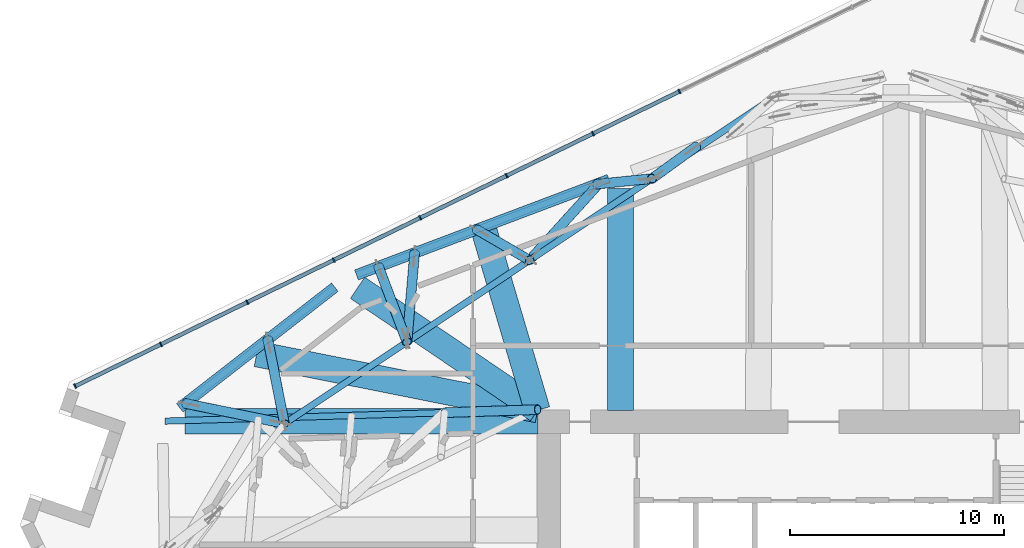
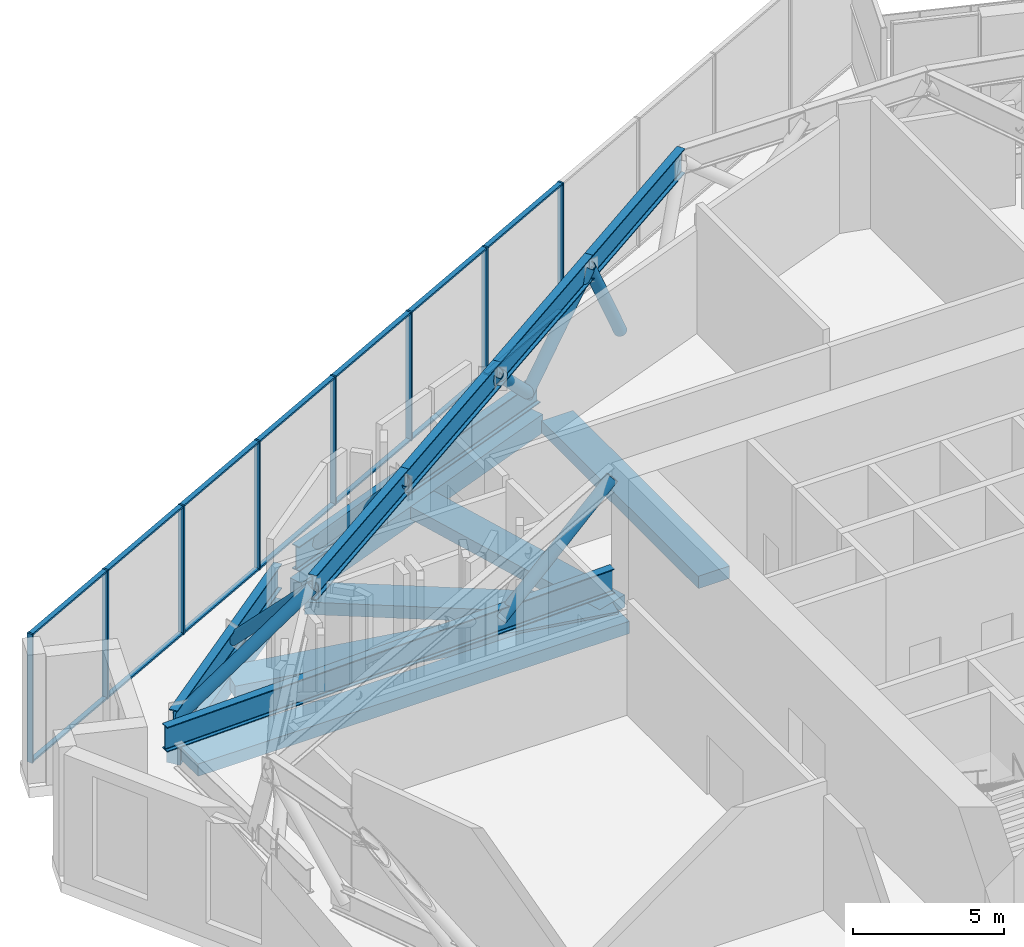
# One storey, part 4 of 21: 31 members, 14 beams, 1 element without a shape of its own.
"""IFC4 building model written with IfcOpenShell, lengths in metres."""

from ifc_helpers import new_model, si_unit, direction, frame, origin, origin_2d, place, context, subcontext, project, spatial, rectangle, hollow_circle, i_section, extrude, material, material_profile, profile_set, type_object, element, aggregate, save


model = new_model("IFC4")

# Units and contexts
model_context = context("Model", 3, precision=1e-05, world=origin(), true_north=direction((0.0, 1.0)))
body_context = subcontext(model_context, "Body", "Model", "MODEL_VIEW")
ifc_project = project(units=[si_unit("LENGTHUNIT", "METRE"), si_unit("AREAUNIT", "SQUARE_METRE"), si_unit("VOLUMEUNIT", "CUBIC_METRE"), si_unit("PLANEANGLEUNIT", "RADIAN"), si_unit("MASSUNIT", "GRAM", prefix="KILO")], contexts=[model_context])

# Site, building, storey
site_placement = place(None, origin())
site = spatial("IfcSite", under=ifc_project, at=site_placement, CompositionType="ELEMENT")
building_placement = place(site_placement, origin())
building = spatial("IfcBuilding", under=site, at=building_placement, Name="Dilmun Exchange Tower", CompositionType="ELEMENT")
storey_placement = place(building_placement, frame((0.0, 0.0, 130.10009765625)))
storey = spatial("IfcBuildingStorey", under=building, at=storey_placement, Name="L30", CompositionType="ELEMENT", Elevation=130.10009765625)

# Beams
ifc_material_1 = material(Name="Concrete C40/50", Category="concrete")
ifc_material_profile_1 = material_profile(ifc_material_1, rectangle(XDim=1.199951171875, YDim=0.5, at=origin_2d()), Name="1200 x 500")
ifc_profile_set_1 = profile_set([ifc_material_profile_1], Name="Concrete C40/50")
beam_type_1 = type_object("IfcBeamType", Name="RC band beam 1200 x 500 C40/50", PredefinedType="BEAM", material=ifc_profile_set_1)
beam_1_placement = place(storey_placement, frame((-9.010009765625, 23.240478515625, -0.77001953125), z_axis=(0.0, -1.0, 0.0), x_axis=(1.0, 0.0, 0.0)))
element("IfcBeam", 1, at=beam_1_placement, inside=storey, type_object=beam_type_1, Name="Band beam 3", PredefinedType="BEAM", context=body_context, shape_type="SweptSolid", body=[
    extrude(rectangle(XDim=1.199951171875, YDim=0.5, at=origin_2d()), origin(), (0.0, 0.0, 1.0), 10.367431640625),
])
beam_2_placement = place(storey_placement, frame((-21.28857421875, 18.59912109375, -0.77001953125), z_axis=(0.827157308771, -0.561970449888, 0.0), x_axis=(0.561970449888, 0.827157308771, 0.0)))
element("IfcBeam", 2, at=beam_2_placement, inside=storey, type_object=beam_type_1, Name="Band beam 4", PredefinedType="BEAM", context=body_context, shape_type="SweptSolid", body=[
    extrude(rectangle(XDim=1.199951171875, YDim=0.5, at=origin_2d()), origin(), (0.0, 0.0, 1.0), 10.16845703125),
])
beam_3_placement = place(storey_placement, frame((-29.35205078125, 12.37109375, -0.77001953125), z_axis=(1.0, 0.0, 0.0), x_axis=(0.0, 1.0, 0.0)))
element("IfcBeam", 3, at=beam_3_placement, inside=storey, type_object=beam_type_1, Name="Band beam 5", PredefinedType="BEAM", context=body_context, shape_type="SweptSolid", body=[
    extrude(rectangle(XDim=1.199951171875, YDim=0.5, at=origin_2d()), origin(), (0.0, 0.0, 1.0), 16.47900390625),
])
beam_4_placement = place(storey_placement, frame((-15.36279296875, 21.216796875, -0.670166015625), z_axis=(0.283932601838, -0.958844240538, 0.0), x_axis=(0.958844240538, 0.283932601838, 0.0)))
element("IfcBeam", 4, at=beam_4_placement, inside=storey, type_object=beam_type_1, Name="Band beam 19", PredefinedType="BEAM", context=body_context, shape_type="SweptSolid", body=[
    extrude(rectangle(XDim=1.199951171875, YDim=0.5, at=origin_2d()), origin(), (0.0, 0.0, 1.0), 8.700927734375),
])
beam_5_placement = place(storey_placement, frame((-25.99658203125, 15.50732421875, -0.670166015625), z_axis=(0.980746640289, -0.19528447855, 0.0), x_axis=(0.19528447855, 0.980746640289, 0.0)))
element("IfcBeam", 5, at=beam_5_placement, inside=storey, type_object=beam_type_1, Name="Band beam 20", PredefinedType="BEAM", context=body_context, shape_type="SweptSolid", body=[
    extrude(rectangle(XDim=1.199951171875, YDim=0.5, at=origin_2d()), origin(), (0.0, 0.0, 1.0), 13.380615234375),
])
ifc_material_profile_2 = material_profile(ifc_material_1, rectangle(XDim=0.5, YDim=0.75, at=origin_2d()), Name="500 x 750")
ifc_profile_set_2 = profile_set([ifc_material_profile_2], Name="Concrete C40/50")
beam_type_2 = type_object("IfcBeamType", Name="RC ring beam 500 x 750 C40/50", PredefinedType="SPANDREL", material=ifc_profile_set_2)
beam_6_placement = place(storey_placement, frame((-9.5458984375, 23.652587890625, -0.795166015625), z_axis=(-0.935479493126, -0.353380981294, 0.0), x_axis=(0.353380981294, -0.935479493126, 0.0)))
element("IfcBeam", 6, at=beam_6_placement, inside=storey, type_object=beam_type_2, Name="Ring beam 3", PredefinedType="SPANDREL", context=body_context, shape_type="SweptSolid", body=[
    extrude(rectangle(XDim=0.5, YDim=0.75, at=origin_2d()), origin(), (0.0, 0.0, 1.0), 12.604248046875),
])
beam_7_placement = place(storey_placement, frame((-22.347412109375, 18.627197265625, -0.795166015625), z_axis=(-0.789461122688, -0.613800566767, 0.0), x_axis=(0.613800566767, -0.789461122688, 0.0)))
element("IfcBeam", 7, at=beam_7_placement, inside=storey, type_object=beam_type_2, Name="Ring beam 4", PredefinedType="SPANDREL", context=body_context, shape_type="SweptSolid", body=[
    extrude(rectangle(XDim=0.5, YDim=0.75, at=origin_2d()), origin(), (0.0, 0.0, 1.0), 9.1728515625),
])

# Curtain wall, members
ifc_material_2 = material(Name="Anodised aluminium and clear glass", Category="aluminium")
curtain_wall_type = type_object("IfcCurtainWallType", Name="Sky lobby glazing", PredefinedType="NOTDEFINED", material=ifc_material_2)
curtain_wall_placement = place(storey_placement, origin())
curtain_wall = element("IfcCurtainWall", 8, at=curtain_wall_placement, inside=storey, type_object=curtain_wall_type, Name="Sky lobby glazing run SL4", PredefinedType="NOTDEFINED")
ifc_material_3 = material(Name="Anodised aluminium", Category="aluminium")
ifc_material_profile_3 = material_profile(ifc_material_3, rectangle(XDim=0.219970703125, YDim=0.070068359375, at=origin_2d()), Name="AL 70x220")
ifc_profile_set_3 = profile_set([ifc_material_profile_3], Name="Anodised aluminium")
member_type_1 = type_object("IfcMemberType", Name="Sky lobby glazing mullion 70 x 220", PredefinedType="MULLION", material=ifc_profile_set_3)
member_1_placement = place(storey_placement, frame((-6.260009765625, 27.765869140625, 0.0), z_axis=(0.0, 0.0, 1.0), x_axis=(0.438371319314, -0.898793962153, 0.0)))
member_1 = element("IfcMember", 9, at=member_1_placement, type_object=member_type_1, Name="SL4 mullion 5", PredefinedType="MULLION", context=body_context, shape_type="SweptSolid", body=[
    extrude(rectangle(XDim=0.219970703125, YDim=0.070068359375, at=origin_2d()), origin(), (0.0, 0.0, 1.0), 5.199951171875),
])
member_2_placement = place(storey_placement, frame((-10.29443359375, 25.798095703125, 0.0), z_axis=(0.0, 0.0, 1.0), x_axis=(0.438371319314, -0.898793962153, 0.0)))
member_2 = element("IfcMember", 10, at=member_2_placement, type_object=member_type_1, Name="SL4 mullion 6", PredefinedType="MULLION", context=body_context, shape_type="SweptSolid", body=[
    extrude(rectangle(XDim=0.219970703125, YDim=0.070068359375, at=origin_2d()), origin(), (0.0, 0.0, 1.0), 5.199951171875),
])
member_3_placement = place(storey_placement, frame((-14.328857421875, 23.830322265625, 0.0), z_axis=(0.0, 0.0, 1.0), x_axis=(0.438371319314, -0.898793962153, 0.0)))
member_3 = element("IfcMember", 11, at=member_3_placement, type_object=member_type_1, Name="SL4 mullion 7", PredefinedType="MULLION", context=body_context, shape_type="SweptSolid", body=[
    extrude(rectangle(XDim=0.219970703125, YDim=0.070068359375, at=origin_2d()), origin(), (0.0, 0.0, 1.0), 5.199951171875),
])
member_4_placement = place(storey_placement, frame((-18.36328125, 21.86279296875, 0.0), z_axis=(0.0, 0.0, 1.0), x_axis=(0.438371319314, -0.898793962153, 0.0)))
member_4 = element("IfcMember", 12, at=member_4_placement, type_object=member_type_1, Name="SL4 mullion 8", PredefinedType="MULLION", context=body_context, shape_type="SweptSolid", body=[
    extrude(rectangle(XDim=0.219970703125, YDim=0.070068359375, at=origin_2d()), origin(), (0.0, 0.0, 1.0), 5.199951171875),
])
member_5_placement = place(storey_placement, frame((-22.397705078125, 19.89501953125, 0.0), z_axis=(0.0, 0.0, 1.0), x_axis=(0.438371319314, -0.898793962153, 0.0)))
member_5 = element("IfcMember", 13, at=member_5_placement, type_object=member_type_1, Name="SL4 mullion 9", PredefinedType="MULLION", context=body_context, shape_type="SweptSolid", body=[
    extrude(rectangle(XDim=0.219970703125, YDim=0.070068359375, at=origin_2d()), origin(), (0.0, 0.0, 1.0), 5.199951171875),
])
member_6_placement = place(storey_placement, frame((-26.43212890625, 17.92724609375, 0.0), z_axis=(0.0, 0.0, 1.0), x_axis=(0.438371319314, -0.898793962153, 0.0)))
member_6 = element("IfcMember", 14, at=member_6_placement, type_object=member_type_1, Name="SL4 mullion 10", PredefinedType="MULLION", context=body_context, shape_type="SweptSolid", body=[
    extrude(rectangle(XDim=0.219970703125, YDim=0.070068359375, at=origin_2d()), origin(), (0.0, 0.0, 1.0), 5.199951171875),
])
member_7_placement = place(storey_placement, frame((-30.466552734375, 15.95947265625, 0.0), z_axis=(0.0, 0.0, 1.0), x_axis=(0.438371319314, -0.898793962153, 0.0)))
member_7 = element("IfcMember", 15, at=member_7_placement, type_object=member_type_1, Name="SL4 mullion 11", PredefinedType="MULLION", context=body_context, shape_type="SweptSolid", body=[
    extrude(rectangle(XDim=0.219970703125, YDim=0.070068359375, at=origin_2d()), origin(), (0.0, 0.0, 1.0), 5.199951171875),
])
member_8_placement = place(storey_placement, frame((-34.469482421875, 14.007080078125, 0.0), z_axis=(0.0, 0.0, 1.0), x_axis=(0.438371319314, -0.898793962153, 0.0)))
member_8 = element("IfcMember", 16, at=member_8_placement, type_object=member_type_1, Name="SL4 mullion 12", PredefinedType="MULLION", context=body_context, shape_type="SweptSolid", body=[
    extrude(rectangle(XDim=0.219970703125, YDim=0.070068359375, at=origin_2d()), origin(), (0.0, 0.0, 1.0), 5.199951171875),
])
ifc_material_profile_4 = material_profile(ifc_material_3, rectangle(XDim=0.179931640625, YDim=0.070068359375, at=origin_2d()), Name="AL 70x180")
ifc_profile_set_4 = profile_set([ifc_material_profile_4], Name="Anodised aluminium")
member_type_2 = type_object("IfcMemberType", Name="Sky lobby glazing transom 70 x 180", PredefinedType="USERDEFINED", material=ifc_profile_set_4)
member_9_placement = place(storey_placement, frame((-6.29150390625, 27.75048828125, 0.034912109375), z_axis=(-0.898792871123, -0.438373556248, 0.0), x_axis=(0.438373556248, -0.898792871123, 0.0)))
member_9 = element("IfcMember", 17, at=member_9_placement, type_object=member_type_2, Name="SL4 transom 5.1", ObjectType="TRANSOM", PredefinedType="USERDEFINED", context=body_context, shape_type="SweptSolid", body=[
    extrude(rectangle(XDim=0.179931640625, YDim=0.070068359375, at=origin_2d()), origin(), (0.0, 0.0, 1.0), 4.418701171875),
])
member_10_placement = place(storey_placement, frame((-6.29150390625, 27.75048828125, 5.164794921875), z_axis=(-0.898792871123, -0.438373556248, 0.0), x_axis=(0.438373556248, -0.898792871123, 0.0)))
member_10 = element("IfcMember", 18, at=member_10_placement, type_object=member_type_2, Name="SL4 transom 5.2", ObjectType="TRANSOM", PredefinedType="USERDEFINED", context=body_context, shape_type="SweptSolid", body=[
    extrude(rectangle(XDim=0.179931640625, YDim=0.070068359375, at=origin_2d()), origin(), (0.0, 0.0, 1.0), 4.418701171875),
])
member_11_placement = place(storey_placement, frame((-10.325927734375, 25.78271484375, 0.034912109375), z_axis=(-0.898792871123, -0.438373556248, 0.0), x_axis=(0.438373556248, -0.898792871123, 0.0)))
member_11 = element("IfcMember", 19, at=member_11_placement, type_object=member_type_2, Name="SL4 transom 6.1", ObjectType="TRANSOM", PredefinedType="USERDEFINED", context=body_context, shape_type="SweptSolid", body=[
    extrude(rectangle(XDim=0.179931640625, YDim=0.070068359375, at=origin_2d()), origin(), (0.0, 0.0, 1.0), 4.418701171875),
])
member_12_placement = place(storey_placement, frame((-10.325927734375, 25.78271484375, 5.164794921875), z_axis=(-0.898792871123, -0.438373556248, 0.0), x_axis=(0.438373556248, -0.898792871123, 0.0)))
member_12 = element("IfcMember", 20, at=member_12_placement, type_object=member_type_2, Name="SL4 transom 6.2", ObjectType="TRANSOM", PredefinedType="USERDEFINED", context=body_context, shape_type="SweptSolid", body=[
    extrude(rectangle(XDim=0.179931640625, YDim=0.070068359375, at=origin_2d()), origin(), (0.0, 0.0, 1.0), 4.418701171875),
])
member_13_placement = place(storey_placement, frame((-14.3603515625, 23.81494140625, 0.034912109375), z_axis=(-0.898792871123, -0.438373556248, 0.0), x_axis=(0.438373556248, -0.898792871123, 0.0)))
member_13 = element("IfcMember", 21, at=member_13_placement, type_object=member_type_2, Name="SL4 transom 7.1", ObjectType="TRANSOM", PredefinedType="USERDEFINED", context=body_context, shape_type="SweptSolid", body=[
    extrude(rectangle(XDim=0.179931640625, YDim=0.070068359375, at=origin_2d()), origin(), (0.0, 0.0, 1.0), 4.418701171875),
])
member_14_placement = place(storey_placement, frame((-14.3603515625, 23.81494140625, 5.164794921875), z_axis=(-0.898792871123, -0.438373556248, 0.0), x_axis=(0.438373556248, -0.898792871123, 0.0)))
member_14 = element("IfcMember", 22, at=member_14_placement, type_object=member_type_2, Name="SL4 transom 7.2", ObjectType="TRANSOM", PredefinedType="USERDEFINED", context=body_context, shape_type="SweptSolid", body=[
    extrude(rectangle(XDim=0.179931640625, YDim=0.070068359375, at=origin_2d()), origin(), (0.0, 0.0, 1.0), 4.418701171875),
])
member_15_placement = place(storey_placement, frame((-18.394775390625, 21.847412109375, 0.034912109375), z_axis=(-0.898792871123, -0.438373556248, 0.0), x_axis=(0.438373556248, -0.898792871123, 0.0)))
member_15 = element("IfcMember", 23, at=member_15_placement, type_object=member_type_2, Name="SL4 transom 8.1", ObjectType="TRANSOM", PredefinedType="USERDEFINED", context=body_context, shape_type="SweptSolid", body=[
    extrude(rectangle(XDim=0.179931640625, YDim=0.070068359375, at=origin_2d()), origin(), (0.0, 0.0, 1.0), 4.418701171875),
])
member_16_placement = place(storey_placement, frame((-18.394775390625, 21.847412109375, 5.164794921875), z_axis=(-0.898792871123, -0.438373556248, 0.0), x_axis=(0.438373556248, -0.898792871123, 0.0)))
member_16 = element("IfcMember", 24, at=member_16_placement, type_object=member_type_2, Name="SL4 transom 8.2", ObjectType="TRANSOM", PredefinedType="USERDEFINED", context=body_context, shape_type="SweptSolid", body=[
    extrude(rectangle(XDim=0.179931640625, YDim=0.070068359375, at=origin_2d()), origin(), (0.0, 0.0, 1.0), 4.418701171875),
])
member_17_placement = place(storey_placement, frame((-22.42919921875, 19.879638671875, 0.034912109375), z_axis=(-0.898792871123, -0.438373556248, 0.0), x_axis=(0.438373556248, -0.898792871123, 0.0)))
member_17 = element("IfcMember", 25, at=member_17_placement, type_object=member_type_2, Name="SL4 transom 9.1", ObjectType="TRANSOM", PredefinedType="USERDEFINED", context=body_context, shape_type="SweptSolid", body=[
    extrude(rectangle(XDim=0.179931640625, YDim=0.070068359375, at=origin_2d()), origin(), (0.0, 0.0, 1.0), 4.418701171875),
])
member_18_placement = place(storey_placement, frame((-22.42919921875, 19.879638671875, 5.164794921875), z_axis=(-0.898792871123, -0.438373556248, 0.0), x_axis=(0.438373556248, -0.898792871123, 0.0)))
member_18 = element("IfcMember", 26, at=member_18_placement, type_object=member_type_2, Name="SL4 transom 9.2", ObjectType="TRANSOM", PredefinedType="USERDEFINED", context=body_context, shape_type="SweptSolid", body=[
    extrude(rectangle(XDim=0.179931640625, YDim=0.070068359375, at=origin_2d()), origin(), (0.0, 0.0, 1.0), 4.418701171875),
])
member_19_placement = place(storey_placement, frame((-26.463623046875, 17.911865234375, 0.034912109375), z_axis=(-0.898792871123, -0.438373556248, 0.0), x_axis=(0.438373556248, -0.898792871123, 0.0)))
member_19 = element("IfcMember", 27, at=member_19_placement, type_object=member_type_2, Name="SL4 transom 10.1", ObjectType="TRANSOM", PredefinedType="USERDEFINED", context=body_context, shape_type="SweptSolid", body=[
    extrude(rectangle(XDim=0.179931640625, YDim=0.070068359375, at=origin_2d()), origin(), (0.0, 0.0, 1.0), 4.418701171875),
])
member_20_placement = place(storey_placement, frame((-26.463623046875, 17.911865234375, 5.164794921875), z_axis=(-0.898792871123, -0.438373556248, 0.0), x_axis=(0.438373556248, -0.898792871123, 0.0)))
member_20 = element("IfcMember", 28, at=member_20_placement, type_object=member_type_2, Name="SL4 transom 10.2", ObjectType="TRANSOM", PredefinedType="USERDEFINED", context=body_context, shape_type="SweptSolid", body=[
    extrude(rectangle(XDim=0.179931640625, YDim=0.070068359375, at=origin_2d()), origin(), (0.0, 0.0, 1.0), 4.418701171875),
])
member_21_placement = place(storey_placement, frame((-30.498046875, 15.944091796875, 0.034912109375), z_axis=(-0.898794672011, -0.438369863887, 0.0), x_axis=(0.438369863887, -0.898794672011, 0.0)))
member_21 = element("IfcMember", 29, at=member_21_placement, type_object=member_type_2, Name="SL4 transom 11.1", ObjectType="TRANSOM", PredefinedType="USERDEFINED", context=body_context, shape_type="SweptSolid", body=[
    extrude(rectangle(XDim=0.179931640625, YDim=0.070068359375, at=origin_2d()), origin(), (0.0, 0.0, 1.0), 4.383544921875),
])
member_22_placement = place(storey_placement, frame((-30.498046875, 15.944091796875, 5.164794921875), z_axis=(-0.898794672011, -0.438369863887, 0.0), x_axis=(0.438369863887, -0.898794672011, 0.0)))
member_22 = element("IfcMember", 30, at=member_22_placement, type_object=member_type_2, Name="SL4 transom 11.2", ObjectType="TRANSOM", PredefinedType="USERDEFINED", context=body_context, shape_type="SweptSolid", body=[
    extrude(rectangle(XDim=0.179931640625, YDim=0.070068359375, at=origin_2d()), origin(), (0.0, 0.0, 1.0), 4.383544921875),
])
aggregate(curtain_wall, [member_1, member_2, member_3, member_4, member_5, member_6, member_7, member_8, member_9, member_10, member_11, member_12, member_13, member_14, member_15, member_16, member_17, member_18, member_19, member_20, member_21, member_22])

# Beams
ifc_material_4 = material(Name="Steel S355", Category="steel")
ifc_material_profile_5 = material_profile(ifc_material_4, i_section(OverallWidth=0.300048828125, OverallDepth=1.0, WebThickness=0.01904296875, FlangeThickness=0.035888671875, FilletRadius=0.030029296875, at=origin_2d()), Name="HEB 1000")
ifc_profile_set_5 = profile_set([ifc_material_profile_5], Name="Steel S355")
beam_type_3 = type_object("IfcBeamType", Name="belt bottom chord HEB 1000", PredefinedType="BEAM", material=ifc_profile_set_5)
beam_8_placement = place(storey_placement, frame((-9.5458984375, 23.652587890625, 0.5), z_axis=(-0.935479493126, -0.353380981294, 0.0), x_axis=(0.353380981294, -0.935479493126, 0.0)))
element("IfcBeam", 31, at=beam_8_placement, inside=storey, type_object=beam_type_3, Name="Belt bottom chord 3", PredefinedType="BEAM", context=body_context, shape_type="SweptSolid", body=[
    extrude(i_section(OverallWidth=0.300048828125, OverallDepth=1.0, WebThickness=0.01904296875, FlangeThickness=0.035888671875, FilletRadius=0.030029296875, at=origin_2d()), origin(), (0.0, 0.0, 1.0), 12.604248046875),
])
beam_9_placement = place(storey_placement, frame((-22.347412109375, 18.627197265625, 0.5), z_axis=(-0.789461122688, -0.613800566767, 0.0), x_axis=(0.613800566767, -0.789461122688, 0.0)))
element("IfcBeam", 32, at=beam_9_placement, inside=storey, type_object=beam_type_3, Name="Belt bottom chord 4", PredefinedType="BEAM", context=body_context, shape_type="SweptSolid", body=[
    extrude(i_section(OverallWidth=0.300048828125, OverallDepth=1.0, WebThickness=0.01904296875, FlangeThickness=0.035888671875, FilletRadius=0.030029296875, at=origin_2d()), origin(), (0.0, 0.0, 1.0), 9.1728515625),
])
ifc_material_profile_6 = material_profile(ifc_material_4, i_section(OverallWidth=0.300048828125, OverallDepth=1.0, WebThickness=0.01904296875, FlangeThickness=0.035888671875, FilletRadius=0.030029296875, at=origin_2d()), Name="HEB 1000")
ifc_profile_set_6 = profile_set([ifc_material_profile_6], Name="Steel S355")
beam_type_4 = type_object("IfcBeamType", Name="outrigger chord HEB 1000", PredefinedType="BEAM", material=ifc_profile_set_6)
beam_10_placement = place(storey_placement, frame((-12.873046875, 12.90087890625, 0.5), z_axis=(-0.999543068818, -0.030226703058, 0.0), x_axis=(0.030226703058, -0.999543068818, 0.0)))
element("IfcBeam", 33, at=beam_10_placement, inside=storey, type_object=beam_type_4, Name="Outrigger bottom chord 2", PredefinedType="BEAM", context=body_context, shape_type="SweptSolid", body=[
    extrude(i_section(OverallWidth=0.300048828125, OverallDepth=1.0, WebThickness=0.01904296875, FlangeThickness=0.035888671875, FilletRadius=0.030029296875, at=origin_2d()), origin(), (0.0, 0.0, 1.0), 17.406005859375),
])
ifc_material_profile_7 = material_profile(ifc_material_4, i_section(OverallWidth=0.302001953125, OverallDepth=1.008056640625, WebThickness=0.02099609375, FlangeThickness=0.0400390625, FilletRadius=0.030029296875, at=origin_2d()), Name="HEM 1000")
ifc_profile_set_7 = profile_set([ifc_material_profile_7], Name="Steel S355")
beam_type_5 = type_object("IfcBeamType", Name="transfer chord HEM 1000", PredefinedType="BEAM", material=ifc_profile_set_7)
for number, where, z_axis, x_axis, name in (
    (34, (-1.818115234375, 27.512939453125, 4.69580078125), (-0.832006584891, -0.554765754799, 0.0), (0.554765754799, -0.832006584891, 0.0), "Transfer chord 3"),
    (35, (-7.5380859375, 23.698974609375, 4.69580078125), (-0.832006584891, -0.554765754799, 0.0), (0.554765754799, -0.832006584891, 0.0), "Transfer chord 4"),
    (36, (-13.258056640625, 19.885009765625, 4.69580078125), (-0.832061220677, -0.554683806367, 0.0), (0.554683806367, -0.832061220677, 0.0), "Transfer chord 5"),
    (37, (-18.978515625, 16.071533203125, 4.69580078125), (-0.832061220677, -0.554683806367, 0.0), (0.554683806367, -0.832061220677, 0.0), "Transfer chord 6"),
):
    element("IfcBeam", number, at=place(storey_placement, frame(where, z_axis=z_axis, x_axis=x_axis)), inside=storey, type_object=beam_type_5, Name=name, PredefinedType="BEAM", context=body_context, shape_type="SweptSolid", body=[
        extrude(i_section(OverallWidth=0.302001953125, OverallDepth=1.008056640625, WebThickness=0.02099609375, FlangeThickness=0.0400390625, FilletRadius=0.030029296875, at=origin_2d()), origin(), (0.0, 0.0, 1.0), 6.875),
    ])

# Members
ifc_material_profile_8 = material_profile(ifc_material_4, hollow_circle(Radius=0.228515625, WallThickness=0.02490234375, at=origin_2d()), Name="CHS 457x25")
ifc_profile_set_8 = profile_set([ifc_material_profile_8], Name="Steel S355")
member_type_3 = type_object("IfcMemberType", Name="truss diagonal CHS 457x25", PredefinedType="BRACE", material=ifc_profile_set_8)
member_23_placement = place(storey_placement, frame((-7.5380859375, 23.698974609375, 4.69580078125), z_axis=(-0.522180427183, -0.052797527779, -0.851199167368), x_axis=(0.100596838818, -0.994927271724, 0.0)))
element("IfcMember", 38, at=member_23_placement, inside=storey, type_object=member_type_3, Name="Truss diagonal 7", PredefinedType="BRACE", context=body_context, shape_type="SweptSolid", body=[
    extrude(hollow_circle(Radius=0.228515625, WallThickness=0.02490234375, at=origin_2d()), origin(), (0.0, 0.0, 1.0), 4.92919921875),
])
member_24_placement = place(storey_placement, frame((-7.5380859375, 23.698974609375, 4.69580078125), z_axis=(0.419358772739, 0.303616946218, -0.855543669076), x_axis=(-0.586438032501, 0.809994095063, 0.0)))
element("IfcMember", 39, at=member_24_placement, inside=storey, type_object=member_type_3, Name="Truss diagonal 8", PredefinedType="BRACE", context=body_context, shape_type="SweptSolid", body=[
    extrude(hollow_circle(Radius=0.228515625, WallThickness=0.02490234375, at=origin_2d()), origin(), (0.0, 0.0, 1.0), 4.904296875),
])
member_25_placement = place(storey_placement, frame((-13.258056640625, 19.885009765625, 4.69580078125), z_axis=(0.51372529757, 0.56622702184, -0.644572166926), x_axis=(-0.740608012585, 0.671937327208, 0.0)))
element("IfcMember", 40, at=member_25_placement, inside=storey, type_object=member_type_3, Name="Truss diagonal 9", PredefinedType="BRACE", context=body_context, shape_type="SweptSolid", body=[
    extrude(hollow_circle(Radius=0.228515625, WallThickness=0.02490234375, at=origin_2d()), origin(), (0.0, 0.0, 1.0), 6.291748046875),
])
member_26_placement = place(storey_placement, frame((-13.258056640625, 19.885009765625, 4.69580078125), z_axis=(-0.486014827461, 0.282610404127, -0.826995131163), x_axis=(-0.502678474363, -0.864473453272, 0.0)))
element("IfcMember", 41, at=member_26_placement, inside=storey, type_object=member_type_3, Name="Truss diagonal 10", PredefinedType="BRACE", context=body_context, shape_type="SweptSolid", body=[
    extrude(hollow_circle(Radius=0.228515625, WallThickness=0.02490234375, at=origin_2d()), origin(), (0.0, 0.0, 1.0), 5.073486328125),
])
member_27_placement = place(storey_placement, frame((-18.978515625, 16.071533203125, 4.69580078125), z_axis=(-0.235771981887, 0.62418898587, -0.744848764835), x_axis=(-0.935488317507, -0.353357620278, 0.0)))
element("IfcMember", 42, at=member_27_placement, inside=storey, type_object=member_type_3, Name="Truss diagonal 11", PredefinedType="BRACE", context=body_context, shape_type="SweptSolid", body=[
    extrude(hollow_circle(Radius=0.228515625, WallThickness=0.02490234375, at=origin_2d()), origin(), (0.0, 0.0, 1.0), 5.633056640625),
])
member_28_placement = place(storey_placement, frame((-18.978515625, 16.071533203125, 4.69580078125), z_axis=(0.060151199573, 0.702121792131, -0.709511678695), x_axis=(-0.996350351191, 0.085357938595, 0.0)))
element("IfcMember", 43, at=member_28_placement, inside=storey, type_object=member_type_3, Name="Truss diagonal 12", PredefinedType="BRACE", context=body_context, shape_type="SweptSolid", body=[
    extrude(hollow_circle(Radius=0.228515625, WallThickness=0.02490234375, at=origin_2d()), origin(), (0.0, 0.0, 1.0), 5.91357421875),
])
member_29_placement = place(storey_placement, frame((-24.698974609375, 12.258056640625, 4.69580078125), z_axis=(-0.732661543735, 0.149036209809, -0.664074747673), x_axis=(-0.199335227527, -0.979931358344, 0.0)))
element("IfcMember", 44, at=member_29_placement, inside=storey, type_object=member_type_3, Name="Truss diagonal 13", PredefinedType="BRACE", context=body_context, shape_type="SweptSolid", body=[
    extrude(hollow_circle(Radius=0.228515625, WallThickness=0.02490234375, at=origin_2d()), origin(), (0.0, 0.0, 1.0), 6.318359375),
])
member_30_placement = place(storey_placement, frame((-24.698974609375, 12.258056640625, 4.69580078125), z_axis=(-0.13425220026, 0.677864258019, -0.722825286239), x_axis=(-0.980946479259, -0.194278163541, 0.0)))
element("IfcMember", 45, at=member_30_placement, inside=storey, type_object=member_type_3, Name="Truss diagonal 14", PredefinedType="BRACE", context=body_context, shape_type="SweptSolid", body=[
    extrude(hollow_circle(Radius=0.228515625, WallThickness=0.02490234375, at=origin_2d()), origin(), (0.0, 0.0, 1.0), 5.8046875),
])
member_31_placement = place(storey_placement, frame((-12.875732421875, 12.911865234375, 4.599853515625), z_axis=(-0.727252437155, -0.023855056352, -0.68595541323), x_axis=(0.032783985455, -0.999462460675, 0.0)))
element("IfcMember", 46, at=member_31_placement, inside=storey, type_object=member_type_3, Name="Outrigger diagonal 2.0", PredefinedType="BRACE", context=body_context, shape_type="SweptSolid", body=[
    extrude(hollow_circle(Radius=0.228515625, WallThickness=0.02490234375, at=origin_2d()), origin(), (0.0, 0.0, 1.0), 5.976806640625),
])

save(model, "model.ifc")
